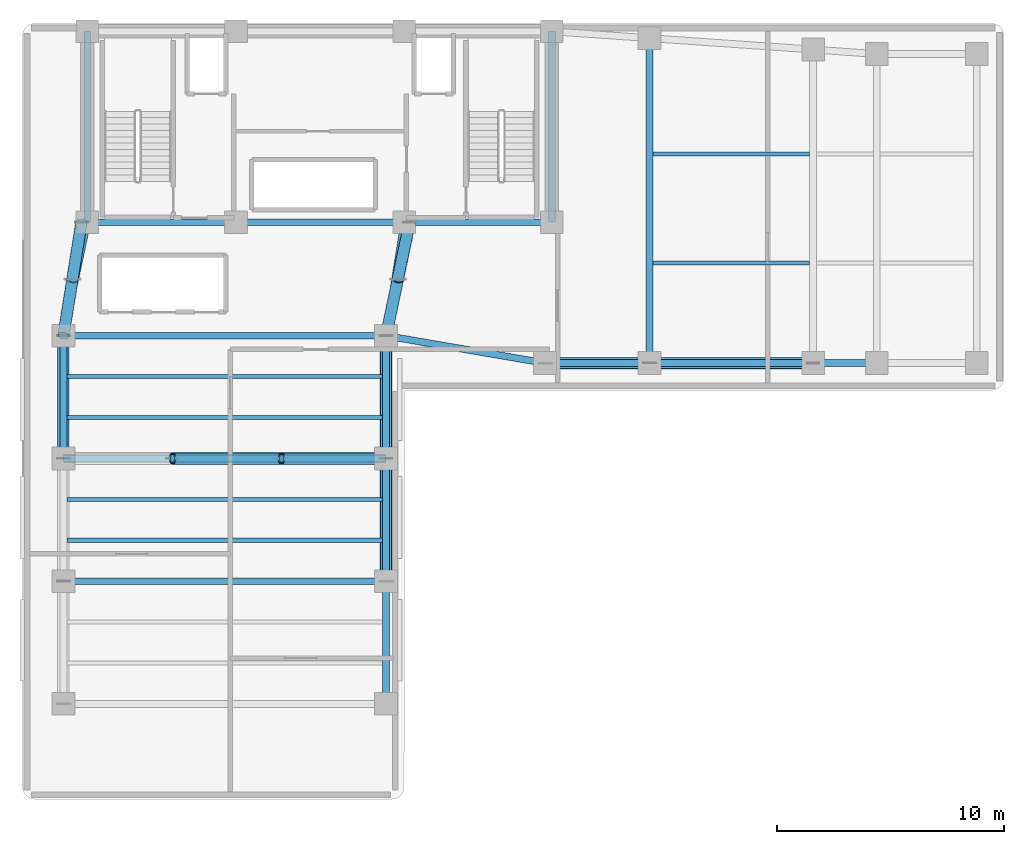
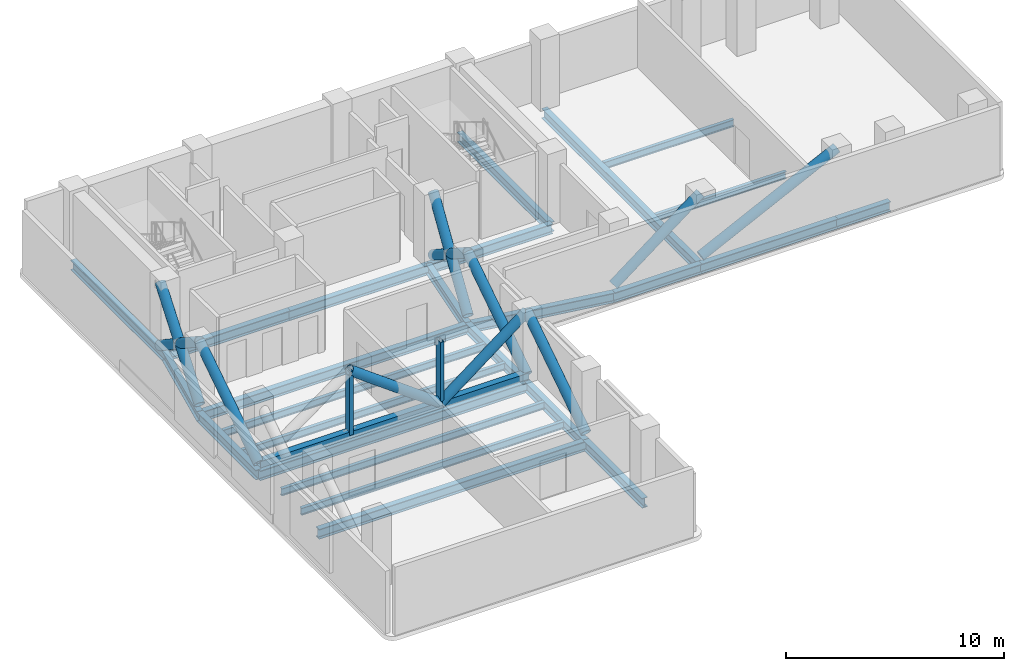
# One storey, part 2 of 6: 25 beams, 16 members.
"""IFC4 building model written with IfcOpenShell, lengths in metres."""

from ifc_helpers import new_model, si_unit, direction, frame, origin, origin_2d, place, context, subcontext, project, spatial, hollow_rectangle, hollow_circle, i_section, extrude, material, material_profile, profile_set, type_object, element, save


model = new_model("IFC4")

# Units and contexts
model_context = context("Model", 3, precision=1e-05, world=origin(), true_north=direction((0.0, 1.0)))
body_context = subcontext(model_context, "Body", "Model", "MODEL_VIEW")
ifc_project = project(units=[si_unit("LENGTHUNIT", "METRE"), si_unit("AREAUNIT", "SQUARE_METRE"), si_unit("VOLUMEUNIT", "CUBIC_METRE"), si_unit("PLANEANGLEUNIT", "RADIAN"), si_unit("MASSUNIT", "GRAM", prefix="KILO")], contexts=[model_context])

# Site, building, storey
site_placement = place(None, origin())
site = spatial("IfcSite", under=ifc_project, at=site_placement, CompositionType="ELEMENT")
building_placement = place(site_placement, origin())
building = spatial("IfcBuilding", under=site, at=building_placement, Name="Kuzgunbayir Cultural Tower", CompositionType="ELEMENT")
storey_placement = place(building_placement, frame((0.0, 0.0, 156.0)))
storey = spatial("IfcBuildingStorey", under=building, at=storey_placement, Name="L45", CompositionType="ELEMENT", Elevation=156.0)

# Beams
ifc_material_1 = material(Name="Steel S355J2", Category="steel")
ifc_material_profile_1 = material_profile(ifc_material_1, i_section(OverallWidth=0.300048828125, OverallDepth=0.550048828125, WebThickness=0.014892578125, FlangeThickness=0.029052734375, FilletRadius=0.027099609375, at=origin_2d()), Name="HEB 550")
ifc_profile_set_1 = profile_set([ifc_material_profile_1], Name="Steel S355J2")
beam_type_1 = type_object("IfcBeamType", Name="BM-EXT-HEB550", PredefinedType="BEAM", material=ifc_profile_set_1)
for number, where, z_axis, x_axis, name in (
    (1, (19.60009765625, 12.60009765625, -0.52001953125), (0.0, 1.0, 0.0), (-1.0, 0.0, 0.0), "L45 Wing A East Girder 1"),
    (2, (19.60009765625, 18.0, -0.52001953125), (0.0, 1.0, 0.0), (-1.0, 0.0, 0.0), "L45 Wing A East Girder 2"),
):
    element("IfcBeam", number, at=place(storey_placement, frame(where, z_axis=z_axis, x_axis=x_axis)), inside=storey, type_object=beam_type_1, Name=name, PredefinedType="BEAM", context=body_context, shape_type="SweptSolid", body=[
        extrude(i_section(OverallWidth=0.300048828125, OverallDepth=0.550048828125, WebThickness=0.014892578125, FlangeThickness=0.029052734375, FilletRadius=0.027099609375, at=origin_2d()), origin(), (0.0, 0.0, 1.0), 5.39990234375),
    ])
for number, where, z_axis, x_axis, name in (
    (3, (5.39990234375, 23.39990234375, -0.52001953125), (0.0, 1.0, 0.0), (-1.0, 0.0, 0.0), "L45 Wing A West Girder 3"),
    (4, (19.60009765625, 23.39990234375, -0.52001953125), (0.0, 1.0, 0.0), (-1.0, 0.0, 0.0), "L45 Wing A East Girder 3"),
):
    element("IfcBeam", number, at=place(storey_placement, frame(where, z_axis=z_axis, x_axis=x_axis)), inside=storey, type_object=beam_type_1, Name=name, PredefinedType="BEAM", context=body_context, shape_type="SweptSolid", body=[
        extrude(i_section(OverallWidth=0.300048828125, OverallDepth=0.550048828125, WebThickness=0.014892578125, FlangeThickness=0.029052734375, FilletRadius=0.027099609375, at=origin_2d()), origin(), (0.0, 0.0, 1.0), 5.400146484375),
    ])
beam_1_placement = place(storey_placement, frame((26.60009765625, 27.60009765625, -0.52001953125), z_axis=(1.0, 0.0, 0.0), x_axis=(0.0, 1.0, 0.0)))
element("IfcBeam", 5, at=beam_1_placement, inside=storey, type_object=beam_type_1, Name="L45 Wing B South Girder 1", PredefinedType="BEAM", context=body_context, shape_type="SweptSolid", body=[
    extrude(i_section(OverallWidth=0.300048828125, OverallDepth=0.550048828125, WebThickness=0.014892578125, FlangeThickness=0.029052734375, FilletRadius=0.027099609375, at=origin_2d()), origin(), (0.0, 0.0, 1.0), 4.599853515625),
])
beam_2_placement = place(storey_placement, frame((31.199951171875, 27.60009765625, -0.52001953125), z_axis=(1.0, 0.0, 0.0), x_axis=(0.0, 1.0, 0.0)))
element("IfcBeam", 6, at=beam_2_placement, inside=storey, type_object=beam_type_1, Name="L45 Wing B South Girder 2", PredefinedType="BEAM", context=body_context, shape_type="SweptSolid", body=[
    extrude(i_section(OverallWidth=0.300048828125, OverallDepth=0.550048828125, WebThickness=0.014892578125, FlangeThickness=0.029052734375, FilletRadius=0.027099609375, at=origin_2d()), origin(), (0.0, 0.0, 1.0), 7.199951171875),
])
beam_3_placement = place(storey_placement, frame((38.39990234375, 27.60009765625, -0.52001953125), z_axis=(1.0, 0.0, 0.0), x_axis=(0.0, 1.0, 0.0)))
element("IfcBeam", 7, at=beam_3_placement, inside=storey, type_object=beam_type_1, Name="L45 Wing B South Girder 3", PredefinedType="BEAM", context=body_context, shape_type="SweptSolid", body=[
    extrude(i_section(OverallWidth=0.300048828125, OverallDepth=0.550048828125, WebThickness=0.014892578125, FlangeThickness=0.029052734375, FilletRadius=0.027099609375, at=origin_2d()), origin(), (0.0, 0.0, 1.0), 2.800048828125),
])
ifc_material_profile_2 = material_profile(ifc_material_1, i_section(OverallWidth=0.300048828125, OverallDepth=0.550048828125, WebThickness=0.014892578125, FlangeThickness=0.029052734375, FilletRadius=0.027099609375, at=origin_2d()), Name="HEB 550")
ifc_profile_set_2 = profile_set([ifc_material_profile_2], Name="Steel S355J2")
beam_type_2 = type_object("IfcBeamType", Name="BM-GIR-HEB550", PredefinedType="BEAM", material=ifc_profile_set_2)
beam_4_placement = place(storey_placement, frame((6.449951171875, 33.800048828125, -0.52001953125), z_axis=(1.0, 0.0, 0.0), x_axis=(0.0, 1.0, 0.0)))
element("IfcBeam", 8, at=beam_4_placement, inside=storey, type_object=beam_type_2, Name="L45 Core South Girder 1", PredefinedType="BEAM", context=body_context, shape_type="SweptSolid", body=[
    extrude(i_section(OverallWidth=0.300048828125, OverallDepth=0.550048828125, WebThickness=0.014892578125, FlangeThickness=0.029052734375, FilletRadius=0.027099609375, at=origin_2d()), origin(), (0.0, 0.0, 1.0), 6.550048828125),
])
beam_5_placement = place(storey_placement, frame((13.0, 33.800048828125, -0.52001953125), z_axis=(1.0, 0.0, 0.0), x_axis=(0.0, 1.0, 0.0)))
element("IfcBeam", 9, at=beam_5_placement, inside=storey, type_object=beam_type_2, Name="L45 Core South Girder 2", PredefinedType="BEAM", context=body_context, shape_type="SweptSolid", body=[
    extrude(i_section(OverallWidth=0.300048828125, OverallDepth=0.550048828125, WebThickness=0.014892578125, FlangeThickness=0.029052734375, FilletRadius=0.027099609375, at=origin_2d()), origin(), (0.0, 0.0, 1.0), 7.39990234375),
])
beam_6_placement = place(storey_placement, frame((20.39990234375, 33.800048828125, -0.52001953125), z_axis=(1.0, 0.0, 0.0), x_axis=(0.0, 1.0, 0.0)))
element("IfcBeam", 10, at=beam_6_placement, inside=storey, type_object=beam_type_2, Name="L45 Core South Girder 3", PredefinedType="BEAM", context=body_context, shape_type="SweptSolid", body=[
    extrude(i_section(OverallWidth=0.300048828125, OverallDepth=0.550048828125, WebThickness=0.014892578125, FlangeThickness=0.029052734375, FilletRadius=0.027099609375, at=origin_2d()), origin(), (0.0, 0.0, 1.0), 6.5),
])
for number, where, z_axis, x_axis, name in (
    (11, (6.449951171875, 33.800048828125, -0.52001953125), (0.0, 1.0, 0.0), (-1.0, 0.0, 0.0), "L45 Core West Edge Girder"),
    (12, (26.89990234375, 33.800048828125, -0.52001953125), (0.0, 1.0, 0.0), (-1.0, 0.0, 0.0), "L45 Core East Edge Girder"),
):
    element("IfcBeam", number, at=place(storey_placement, frame(where, z_axis=z_axis, x_axis=x_axis)), inside=storey, type_object=beam_type_2, Name=name, PredefinedType="BEAM", context=body_context, shape_type="SweptSolid", body=[
        extrude(i_section(OverallWidth=0.300048828125, OverallDepth=0.550048828125, WebThickness=0.014892578125, FlangeThickness=0.029052734375, FilletRadius=0.027099609375, at=origin_2d()), origin(), (0.0, 0.0, 1.0), 8.39990234375),
    ])
for number, where, z_axis, x_axis, name in (
    (13, (5.39990234375, 18.0, -0.52001953125), (1.0, 0.0, 0.0), (0.0, 1.0, 0.0), "L45 Wing A Transverse Girder 2"),
    (14, (5.39990234375, 23.39990234375, -0.52001953125), (1.0, 0.0, 0.0), (0.0, 1.0, 0.0), "L45 Wing A Transverse Girder 3"),
    (15, (5.39990234375, 28.800048828125, -0.52001953125), (1.0, 0.0, 0.0), (0.0, 1.0, 0.0), "L45 Wing A Transverse Girder 4"),
):
    element("IfcBeam", number, at=place(storey_placement, frame(where, z_axis=z_axis, x_axis=x_axis)), inside=storey, type_object=beam_type_2, Name=name, PredefinedType="BEAM", context=body_context, shape_type="SweptSolid", body=[
        extrude(i_section(OverallWidth=0.300048828125, OverallDepth=0.550048828125, WebThickness=0.014892578125, FlangeThickness=0.029052734375, FilletRadius=0.027099609375, at=origin_2d()), origin(), (0.0, 0.0, 1.0), 14.2001953125),
    ])
beam_7_placement = place(storey_placement, frame((5.39990234375, 28.800048828125, -0.52001953125), z_axis=(0.205526387753, 0.978651574329, 0.0), x_axis=(-0.978651574329, 0.205526387753, 0.0)))
element("IfcBeam", 16, at=beam_7_placement, inside=storey, type_object=beam_type_2, Name="L45 Wing A West Core Floor Girder", PredefinedType="BEAM", context=body_context, shape_type="SweptSolid", body=[
    extrude(i_section(OverallWidth=0.300048828125, OverallDepth=0.550048828125, WebThickness=0.014892578125, FlangeThickness=0.029052734375, FilletRadius=0.027099609375, at=origin_2d()), origin(), (0.0, 0.0, 1.0), 5.109130859375),
])
beam_8_placement = place(storey_placement, frame((19.60009765625, 28.800048828125, -0.52001953125), z_axis=(0.157952891656, 0.987446648694, 0.0), x_axis=(-0.987446648694, 0.157952891656, 0.0)))
element("IfcBeam", 17, at=beam_8_placement, inside=storey, type_object=beam_type_2, Name="L45 Wing A East Core Floor Girder", PredefinedType="BEAM", context=body_context, shape_type="SweptSolid", body=[
    extrude(i_section(OverallWidth=0.300048828125, OverallDepth=0.550048828125, WebThickness=0.014892578125, FlangeThickness=0.029052734375, FilletRadius=0.027099609375, at=origin_2d()), origin(), (0.0, 0.0, 1.0), 5.0634765625),
])
beam_9_placement = place(storey_placement, frame((31.199951171875, 27.60009765625, -0.52001953125), z_axis=(0.0, 1.0, 0.0), x_axis=(-1.0, 0.0, 0.0)))
element("IfcBeam", 18, at=beam_9_placement, inside=storey, type_object=beam_type_2, Name="L45 Wing B Cross Girder 31", PredefinedType="BEAM", context=body_context, shape_type="SweptSolid", body=[
    extrude(i_section(OverallWidth=0.300048828125, OverallDepth=0.550048828125, WebThickness=0.014892578125, FlangeThickness=0.029052734375, FilletRadius=0.027099609375, at=origin_2d()), origin(), (0.0, 0.0, 1.0), 14.2998046875),
])
beam_10_placement = place(storey_placement, frame((19.60009765625, 28.800048828125, -0.52001953125), z_axis=(0.985623399742, -0.168957136221, 0.0), x_axis=(0.168957136221, 0.985623399742, 0.0)))
element("IfcBeam", 19, at=beam_10_placement, inside=storey, type_object=beam_type_2, Name="L45 Wing B Waist Tie Girder", PredefinedType="BEAM", context=body_context, shape_type="SweptSolid", body=[
    extrude(i_section(OverallWidth=0.300048828125, OverallDepth=0.550048828125, WebThickness=0.014892578125, FlangeThickness=0.029052734375, FilletRadius=0.027099609375, at=origin_2d()), origin(), (0.0, 0.0, 1.0), 7.10205078125),
])
ifc_material_profile_3 = material_profile(ifc_material_1, i_section(OverallWidth=0.179931640625, OverallDepth=0.39990234375, WebThickness=0.008544921875, FlangeThickness=0.013427734375, FilletRadius=0.02099609375, at=origin_2d()), Name="IPE 400")
ifc_profile_set_3 = profile_set([ifc_material_profile_3], Name="Steel S355J2")
beam_type_3 = type_object("IfcBeamType", Name="BM-JST-IPE400", PredefinedType="JOIST", material=ifc_profile_set_3)
for number, where, z_axis, x_axis, name in (
    (20, (5.550048828125, 19.800048828125, -0.43994140625), (1.0, 0.0, 0.0), (0.0, 1.0, 0.0), "L45 Wing A Secondary Joist 3"),
    (21, (5.550048828125, 21.60009765625, -0.43994140625), (1.0, 0.0, 0.0), (0.0, 1.0, 0.0), "L45 Wing A Secondary Joist 4"),
    (22, (5.550048828125, 25.199951171875, -0.43994140625), (1.0, 0.0, 0.0), (0.0, 1.0, 0.0), "L45 Wing A Secondary Joist 5"),
    (23, (5.550048828125, 27.0, -0.43994140625), (1.0, 0.0, 0.0), (0.0, 1.0, 0.0), "L45 Wing A Secondary Joist 6"),
):
    element("IfcBeam", number, at=place(storey_placement, frame(where, z_axis=z_axis, x_axis=x_axis)), inside=storey, type_object=beam_type_3, Name=name, PredefinedType="JOIST", context=body_context, shape_type="SweptSolid", body=[
        extrude(i_section(OverallWidth=0.179931640625, OverallDepth=0.39990234375, WebThickness=0.008544921875, FlangeThickness=0.013427734375, FilletRadius=0.02099609375, at=origin_2d()), origin(), (0.0, 0.0, 1.0), 13.89990234375),
    ])
for number, where, z_axis, x_axis, name in (
    (24, (31.35009765625, 32.0, -0.43994140625), (1.0, 0.0, 0.0), (0.0, 1.0, 0.0), "L45 Wing B Secondary Joist 1.1"),
    (25, (31.35009765625, 36.800048828125, -0.43994140625), (1.0, 0.0, 0.0), (0.0, 1.0, 0.0), "L45 Wing B Secondary Joist 1.2"),
):
    element("IfcBeam", number, at=place(storey_placement, frame(where, z_axis=z_axis, x_axis=x_axis)), inside=storey, type_object=beam_type_3, Name=name, PredefinedType="JOIST", context=body_context, shape_type="SweptSolid", body=[
        extrude(i_section(OverallWidth=0.179931640625, OverallDepth=0.39990234375, WebThickness=0.008544921875, FlangeThickness=0.013427734375, FilletRadius=0.02099609375, at=origin_2d()), origin(), (0.0, 0.0, 1.0), 6.89990234375),
    ])

# Members
ifc_material_2 = material(Name="Steel S460M", Category="steel")
ifc_material_profile_4 = material_profile(ifc_material_2, hollow_rectangle(XDim=0.35009765625, YDim=0.35009765625, WallThickness=0.02001953125, at=origin_2d()), Name="SHS 350x350x20")
ifc_profile_set_4 = profile_set([ifc_material_profile_4], Name="Steel S460M")
member_type_1 = type_object("IfcMemberType", Name="MEM-CHD-SHS350", PredefinedType="CHORD", material=ifc_profile_set_4)
member_1_placement = place(storey_placement, frame((5.39990234375, 23.39990234375, 0.1201171875), z_axis=(1.0, 0.0, 0.0), x_axis=(0.0, 1.0, 0.0)))
element("IfcMember", 26, at=member_1_placement, inside=storey, type_object=member_type_1, Name="L45 Outrigger Bottom Chord", PredefinedType="CHORD", context=body_context, shape_type="SweptSolid", body=[
    extrude(hollow_rectangle(XDim=0.35009765625, YDim=0.35009765625, WallThickness=0.02001953125, at=origin_2d()), origin(), (0.0, 0.0, 1.0), 14.2001953125),
])
ifc_material_profile_5 = material_profile(ifc_material_2, hollow_circle(Radius=0.25390625, WallThickness=0.02490234375, at=origin_2d()), Name="CHS 508x25")
ifc_profile_set_5 = profile_set([ifc_material_profile_5], Name="Steel S460M")
member_type_2 = type_object("IfcMemberType", Name="MEM-OUT-CHS508", PredefinedType="BRACE", material=ifc_profile_set_5)
member_2_placement = place(storey_placement, frame((6.199951171875, 33.800048828125, 0.1201171875), z_axis=(-0.129615540565, -0.810047687141, 0.571858860385), x_axis=(0.98743912751, -0.157999903362, 0.0)))
element("IfcMember", 27, at=member_2_placement, inside=storey, type_object=member_type_2, Name="L45 West Outrigger X-Brace Continuous Primary Diagonal", PredefinedType="BRACE", context=body_context, shape_type="SweptSolid", body=[
    extrude(hollow_circle(Radius=0.25390625, WallThickness=0.02490234375, at=origin_2d()), origin(), (0.0, 0.0, 1.0), 6.17236328125),
])
member_3_placement = place(storey_placement, frame((5.39990234375, 28.800048828125, 0.1201171875), z_axis=(0.130701792204, 0.810048081274, 0.571611010688), x_axis=(-0.987231755088, 0.15929049484, 0.0)))
element("IfcMember", 28, at=member_3_placement, inside=storey, type_object=member_type_2, Name="L45 West Outrigger X-Brace Split Lower Secondary Diagonal", PredefinedType="BRACE", context=body_context, shape_type="SweptSolid", body=[
    extrude(hollow_circle(Radius=0.25390625, WallThickness=0.02490234375, at=origin_2d()), origin(), (0.0, 0.0, 1.0), 3.0615234375),
])
member_4_placement = place(storey_placement, frame((5.800048828125, 31.320068359375, 1.889892578125), z_axis=(0.130379268677, 0.808542497692, 0.5738120561), x_axis=(-0.987247034177, 0.159195771016, 0.0)))
element("IfcMember", 29, at=member_4_placement, inside=storey, type_object=member_type_2, Name="L45 West Outrigger X-Brace Split Upper Secondary Diagonal", PredefinedType="BRACE", context=body_context, shape_type="SweptSolid", body=[
    extrude(hollow_circle(Radius=0.25390625, WallThickness=0.02490234375, at=origin_2d()), origin(), (0.0, 0.0, 1.0), 3.067138671875),
])
member_5_placement = place(storey_placement, frame((20.64990234375, 33.800048828125, 0.1201171875), z_axis=(-0.169056432218, -0.805180402749, 0.568422766745), x_axis=(0.978661184912, -0.205480619879, 0.0)))
element("IfcMember", 30, at=member_5_placement, inside=storey, type_object=member_type_2, Name="L45 East Outrigger X-Brace Continuous Primary Diagonal", PredefinedType="BRACE", context=body_context, shape_type="SweptSolid", body=[
    extrude(hollow_circle(Radius=0.25390625, WallThickness=0.02490234375, at=origin_2d()), origin(), (0.0, 0.0, 1.0), 6.209716796875),
])
member_6_placement = place(storey_placement, frame((19.60009765625, 28.800048828125, 0.1201171875), z_axis=(0.16886578523, 0.805323308151, 0.568276971139), x_axis=(-0.978715076962, 0.205223775736, 0.0)))
element("IfcMember", 31, at=member_6_placement, inside=storey, type_object=member_type_2, Name="L45 East Outrigger X-Brace Split Lower Secondary Diagonal", PredefinedType="BRACE", context=body_context, shape_type="SweptSolid", body=[
    extrude(hollow_circle(Radius=0.25390625, WallThickness=0.02490234375, at=origin_2d()), origin(), (0.0, 0.0, 1.0), 3.07958984375),
])
member_7_placement = place(storey_placement, frame((20.1201171875, 31.320068359375, 1.889892578125), z_axis=(0.171626764081, 0.80340307352, 0.570164673853), x_axis=(-0.977934651967, 0.208911025277, 0.0)))
element("IfcMember", 32, at=member_7_placement, inside=storey, type_object=member_type_2, Name="L45 East Outrigger X-Brace Split Upper Secondary Diagonal", PredefinedType="BRACE", context=body_context, shape_type="SweptSolid", body=[
    extrude(hollow_circle(Radius=0.25390625, WallThickness=0.02490234375, at=origin_2d()), origin(), (0.0, 0.0, 1.0), 3.0869140625),
])
member_8_placement = place(storey_placement, frame((5.39990234375, 23.39990234375, 0.1201171875), z_axis=(0.0, 0.83704627187, 0.547132103562), x_axis=(-1.0, 0.0, 0.0)))
element("IfcMember", 33, at=member_8_placement, inside=storey, type_object=member_type_2, Name="L45 Outrigger and Belt Truss Diagonal 2", PredefinedType="BRACE", context=body_context, shape_type="SweptSolid", body=[
    extrude(hollow_circle(Radius=0.25390625, WallThickness=0.02490234375, at=origin_2d()), origin(), (0.0, 0.0, 1.0), 6.451416015625),
])
member_9_placement = place(storey_placement, frame((19.60009765625, 18.0, 0.1201171875), z_axis=(0.0, 0.837034942937, 0.547149435075), x_axis=(-1.0, 0.0, 0.0)))
element("IfcMember", 34, at=member_9_placement, inside=storey, type_object=member_type_2, Name="L45 Outrigger and Belt Truss Diagonal 3", PredefinedType="BRACE", context=body_context, shape_type="SweptSolid", body=[
    extrude(hollow_circle(Radius=0.25390625, WallThickness=0.02490234375, at=origin_2d()), origin(), (0.0, 0.0, 1.0), 6.451171875),
])
member_10_placement = place(storey_placement, frame((19.60009765625, 23.39990234375, 0.1201171875), z_axis=(0.0, 0.83704627187, 0.547132103562), x_axis=(-1.0, 0.0, 0.0)))
element("IfcMember", 35, at=member_10_placement, inside=storey, type_object=member_type_2, Name="L45 Outrigger and Belt Truss Diagonal 4", PredefinedType="BRACE", context=body_context, shape_type="SweptSolid", body=[
    extrude(hollow_circle(Radius=0.25390625, WallThickness=0.02490234375, at=origin_2d()), origin(), (0.0, 0.0, 1.0), 6.451416015625),
])
member_11_placement = place(storey_placement, frame((10.199951171875, 23.39990234375, 3.64990234375), z_axis=(0.805623978407, 0.0, -0.59242721529), x_axis=(0.0, 1.0, 0.0)))
element("IfcMember", 36, at=member_11_placement, inside=storey, type_object=member_type_2, Name="L45 Outrigger and Belt Truss Diagonal 6", PredefinedType="BRACE", context=body_context, shape_type="SweptSolid", body=[
    extrude(hollow_circle(Radius=0.25390625, WallThickness=0.02490234375, at=origin_2d()), origin(), (0.0, 0.0, 1.0), 5.958251953125),
])
member_12_placement = place(storey_placement, frame((15.0, 23.39990234375, 0.1201171875), z_axis=(0.793352834091, 0.0, 0.6087620887), x_axis=(0.0, 1.0, 0.0)))
element("IfcMember", 37, at=member_12_placement, inside=storey, type_object=member_type_2, Name="L45 Outrigger and Belt Truss Diagonal 7", PredefinedType="BRACE", context=body_context, shape_type="SweptSolid", body=[
    extrude(hollow_circle(Radius=0.25390625, WallThickness=0.02490234375, at=origin_2d()), origin(), (0.0, 0.0, 1.0), 5.79833984375),
])
member_13_placement = place(storey_placement, frame((26.60009765625, 27.60009765625, 0.1201171875), z_axis=(0.793337229359, 0.0, 0.60878242461), x_axis=(0.0, 1.0, 0.0)))
element("IfcMember", 38, at=member_13_placement, inside=storey, type_object=member_type_2, Name="L45 Outrigger and Belt Truss Diagonal 9", PredefinedType="BRACE", context=body_context, shape_type="SweptSolid", body=[
    extrude(hollow_circle(Radius=0.25390625, WallThickness=0.02490234375, at=origin_2d()), origin(), (0.0, 0.0, 1.0), 5.798095703125),
])
member_14_placement = place(storey_placement, frame((31.199951171875, 27.60009765625, 0.1201171875), z_axis=(0.897901138228, 0.0, 0.440197167153), x_axis=(0.0, 1.0, 0.0)))
element("IfcMember", 39, at=member_14_placement, inside=storey, type_object=member_type_2, Name="L45 Outrigger and Belt Truss Diagonal 10", PredefinedType="BRACE", context=body_context, shape_type="SweptSolid", body=[
    extrude(hollow_circle(Radius=0.25390625, WallThickness=0.02490234375, at=origin_2d()), origin(), (0.0, 0.0, 1.0), 8.0185546875),
])
ifc_material_profile_6 = material_profile(ifc_material_2, hollow_rectangle(XDim=0.199951171875, YDim=0.39990234375, WallThickness=0.01611328125, at=origin_2d()), Name="RHS 400x200x16")
ifc_profile_set_6 = profile_set([ifc_material_profile_6], Name="Steel S460M")
member_type_3 = type_object("IfcMemberType", Name="MEM-STR-RHS400", PredefinedType="STRUT", material=ifc_profile_set_6)
for number, where, z_axis, x_axis, name in (
    (40, (10.199951171875, 23.39990234375, 0.1201171875), (0.0, 0.0, 1.0), (1.0, 0.0, 0.0), "L45 Outrigger Vertical Strut 10"),
    (41, (15.0, 23.39990234375, 0.1201171875), (0.0, 0.0, 1.0), (1.0, 0.0, 0.0), "L45 Outrigger Vertical Strut 15"),
):
    element("IfcMember", number, at=place(storey_placement, frame(where, z_axis=z_axis, x_axis=x_axis)), inside=storey, type_object=member_type_3, Name=name, PredefinedType="STRUT", context=body_context, shape_type="SweptSolid", body=[
        extrude(hollow_rectangle(XDim=0.199951171875, YDim=0.39990234375, WallThickness=0.01611328125, at=origin_2d()), origin(), (0.0, 0.0, 1.0), 3.52978515625),
    ])

save(model, "model.ifc")
